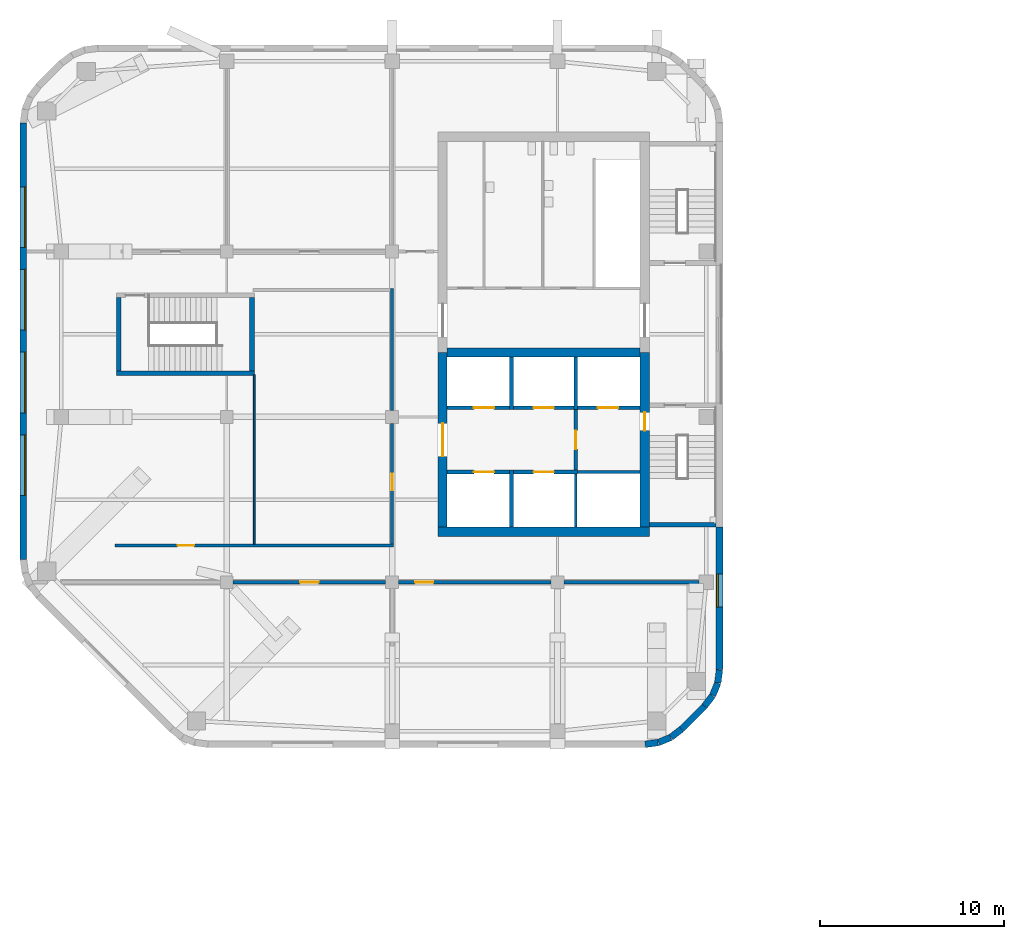
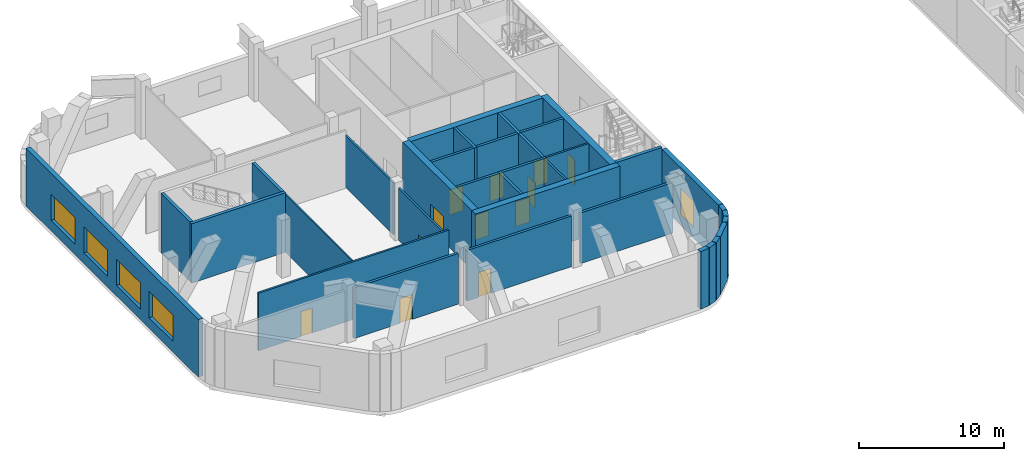
# One storey, part 5 of 14: 35 walls, 12 doors, 5 windows, 17 openings.
"""IFC4 building model written with IfcOpenShell, lengths in metres."""

from ifc_helpers import new_model, si_unit, direction, frame, frame_2d, origin, place, context, subcontext, project, spatial, rectangle, extrude, material, layer, layer_set, type_object, element, fill, save


model = new_model("IFC4")

# Units and contexts
model_context = context("Model", 3, precision=1e-05, world=origin(), true_north=direction((0.0, 1.0)))
body_context = subcontext(model_context, "Body", "Model", "MODEL_VIEW")
ifc_project = project(units=[si_unit("LENGTHUNIT", "METRE"), si_unit("AREAUNIT", "SQUARE_METRE"), si_unit("VOLUMEUNIT", "CUBIC_METRE"), si_unit("PLANEANGLEUNIT", "RADIAN"), si_unit("MASSUNIT", "GRAM", prefix="KILO")], contexts=[model_context])

# Site, building, storey
site_placement = place(None, origin())
site = spatial("IfcSite", under=ifc_project, at=site_placement, CompositionType="ELEMENT")
building_placement = place(site_placement, origin())
building = spatial("IfcBuilding", under=site, at=building_placement, Name="Cinnabar Reach Civic Tower", CompositionType="ELEMENT")
storey_placement = place(building_placement, frame((0.0, 0.0, 95.0)))
storey = spatial("IfcBuildingStorey", under=building, at=storey_placement, Name="L22", CompositionType="ELEMENT", Elevation=95.0)

# Walls
ifc_material_1 = material(Name="Facing brick with insulated backing", Category="masonry")
ifc_layer_1 = layer(ifc_material_1, 0.36)
ifc_layer_set_1 = layer_set([ifc_layer_1], Name="Brick corner wall")
wall_type_1 = type_object("IfcWallType", Name="Brick corner wall", PredefinedType="STANDARD", material=ifc_layer_set_1)
for number, where, z_axis, x_axis, name in (
    (1, (-31.2314, 9.183, 0.0), (0.0, 0.0, 1.0), (0.99144092581, 0.13055608231, 0.0), "Brick corner wall"),
    (2, (-30.5027, 9.2819, 0.0), (0.0, 0.0, 1.0), (0.923871547278, 0.382702709855, 0.0), "Brick corner wall"),
):
    element("IfcWall", number, at=place(storey_placement, frame(where, z_axis=z_axis, x_axis=x_axis)), inside=storey, type_object=wall_type_1, Name=name, PredefinedType="STANDARD", context=body_context, shape_type="SweptSolid", body=[
        extrude(rectangle(XDim=0.7131, YDim=0.36, at=frame_2d((0.3565, 0.0))), origin(), (0.0, 0.0, 1.0), 4.85),
    ])
for number, where, z_axis, x_axis, name in (
    (3, (-29.8245, 9.566, 0.0), (0.0, 0.0, 1.0), (0.793321924995, 0.608802368033, 0.0), "Brick corner wall"),
    (4, (-28.0002, 11.2587, 0.0), (0.0, 0.0, 1.0), (0.608802368033, 0.793321924995, 0.0), "Brick corner wall"),
):
    element("IfcWall", number, at=place(storey_placement, frame(where, z_axis=z_axis, x_axis=x_axis)), inside=storey, type_object=wall_type_1, Name=name, PredefinedType="STANDARD", context=body_context, shape_type="SweptSolid", body=[
        extrude(rectangle(XDim=0.7132, YDim=0.36, at=frame_2d((0.3566, 0.0))), origin(), (0.0, 0.0, 1.0), 4.85),
    ])
for number, where, z_axis, x_axis, name in (
    (5, (-27.5548, 11.8439, 0.0), (0.0, 0.0, 1.0), (0.382702709855, 0.923871547278, 0.0), "Brick corner wall"),
    (6, (-27.2761, 12.5244, 0.0), (0.0, 0.0, 1.0), (0.13055608231, 0.99144092581, 0.0), "Brick corner wall"),
):
    element("IfcWall", number, at=place(storey_placement, frame(where, z_axis=z_axis, x_axis=x_axis)), inside=storey, type_object=wall_type_1, Name=name, PredefinedType="STANDARD", context=body_context, shape_type="SweptSolid", body=[
        extrude(rectangle(XDim=0.7131, YDim=0.36, at=frame_2d((0.3565, 0.0))), origin(), (0.0, 0.0, 1.0), 4.85),
    ])
ifc_layer_2 = layer(ifc_material_1, 0.36)
ifc_layer_set_2 = layer_set([ifc_layer_2], Name="Brick pier and spandrel wall")
wall_type_2 = type_object("IfcWallType", Name="Brick pier and spandrel wall", PredefinedType="STANDARD", material=ifc_layer_set_2)
wall_1_placement = place(storey_placement, frame((-29.2486, 10.006, 0.0), z_axis=(0.0, 0.0, 1.0), x_axis=(0.707106781187, 0.707106781187, 0.0)))
element("IfcWall", 7, at=wall_1_placement, inside=storey, type_object=wall_type_2, Name="Brick facade wall", PredefinedType="STANDARD", context=body_context, shape_type="SweptSolid", body=[
    extrude(rectangle(XDim=1.7573, YDim=0.36, at=frame_2d((0.8787, 0.0))), origin(), (0.0, 0.0, 1.0), 4.85),
])

# Wall, opening, window
wall_2_placement = place(storey_placement, frame((-27.18, 13.2426, 0.0), z_axis=(0.0, 0.0, 1.0), x_axis=(0.0, 1.0, 0.0)))
wall_2 = element("IfcWall", 8, at=wall_2_placement, inside=storey, type_object=wall_type_2, Name="Brick facade wall", PredefinedType="STANDARD", context=body_context, shape_type="SweptSolid", body=[
    extrude(rectangle(XDim=7.7574, YDim=0.36, at=frame_2d((3.8787, 0.0))), origin(), (0.0, 0.0, 1.0), 4.85),
])
opening_1_placement = place(wall_2_placement, frame((3.4037, 0.0, 0.9)))
opening_1 = element("IfcOpeningElement", 9, at=opening_1_placement, cuts=wall_2, Name="Opening W2656", PredefinedType="OPENING", context=body_context, shape_type="SweptSolid", body=[
    extrude(rectangle(XDim=1.8, YDim=2.2, at=frame_2d((0.9, 1.1))), frame((0.0, 0.19, 0.0), z_axis=(0.0, -1.0, 0.0), x_axis=(1.0, 0.0, 0.0)), (0.0, 0.0, 1.0), 0.38),
])
ifc_material_2 = material(Name="Clear double glazing in aluminium frame", Category="aluminium")
window_type_1 = type_object("IfcWindowType", Name="Deep-set window E", PartitioningType="SINGLE_PANEL", PredefinedType="WINDOW", material=ifc_material_2)
window_1_placement = place(opening_1_placement, origin())
window_1 = element("IfcWindow", 10, at=window_1_placement, inside=storey, type_object=window_type_1, Name="Window east face", OverallHeight=2.2, OverallWidth=1.8, PartitioningType="SINGLE_PANEL", PredefinedType="WINDOW", context=body_context, shape_type="SweptSolid", body=[
    extrude(rectangle(XDim=1.8, YDim=2.2, at=frame_2d((0.9, 1.1))), frame((0.0, 0.13, 0.0), z_axis=(0.0, -1.0, 0.0), x_axis=(1.0, 0.0, 0.0)), (0.0, 0.0, 1.0), 0.06),
])
fill(opening_1, window_1)

# Wall, openings, windows
wall_3_placement = place(storey_placement, frame((-65.07, 43.0074, 0.0), z_axis=(0.0, 0.0, 1.0), x_axis=(0.0, -1.0, 0.0)))
wall_3 = element("IfcWall", 11, at=wall_3_placement, inside=storey, type_object=wall_type_2, Name="Brick facade wall", PredefinedType="STANDARD", context=body_context, shape_type="SweptSolid", body=[
    extrude(rectangle(XDim=23.7648, YDim=0.36, at=frame_2d((11.8824, 0.0))), origin(), (0.0, 0.0, 1.0), 4.85),
])
opening_2_placement = place(wall_3_placement, frame((3.4824, 0.0, 0.9)))
opening_2 = element("IfcOpeningElement", 12, at=opening_2_placement, cuts=wall_3, Name="Opening W2664", PredefinedType="OPENING", context=body_context, shape_type="SweptSolid", body=[
    extrude(rectangle(XDim=3.3, YDim=2.2, at=frame_2d((1.65, 1.1))), frame((0.0, 0.19, 0.0), z_axis=(0.0, -1.0, 0.0), x_axis=(1.0, 0.0, 0.0)), (0.0, 0.0, 1.0), 0.38),
])
opening_3_placement = place(wall_3_placement, frame((7.9824, 0.0, 0.9)))
opening_3 = element("IfcOpeningElement", 13, at=opening_3_placement, cuts=wall_3, Name="Opening W2665", PredefinedType="OPENING", context=body_context, shape_type="SweptSolid", body=[
    extrude(rectangle(XDim=3.3, YDim=2.2, at=frame_2d((1.65, 1.1))), frame((0.0, 0.19, 0.0), z_axis=(0.0, -1.0, 0.0), x_axis=(1.0, 0.0, 0.0)), (0.0, 0.0, 1.0), 0.38),
])
opening_4_placement = place(wall_3_placement, frame((12.4824, 0.0, 0.9)))
opening_4 = element("IfcOpeningElement", 14, at=opening_4_placement, cuts=wall_3, Name="Opening W2666", PredefinedType="OPENING", context=body_context, shape_type="SweptSolid", body=[
    extrude(rectangle(XDim=3.3, YDim=2.2, at=frame_2d((1.65, 1.1))), frame((0.0, 0.19, 0.0), z_axis=(0.0, -1.0, 0.0), x_axis=(1.0, 0.0, 0.0)), (0.0, 0.0, 1.0), 0.38),
])
opening_5_placement = place(wall_3_placement, frame((16.9824, 0.0, 0.9)))
opening_5 = element("IfcOpeningElement", 15, at=opening_5_placement, cuts=wall_3, Name="Opening W2667", PredefinedType="OPENING", context=body_context, shape_type="SweptSolid", body=[
    extrude(rectangle(XDim=3.3, YDim=2.2, at=frame_2d((1.65, 1.1))), frame((0.0, 0.19, 0.0), z_axis=(0.0, -1.0, 0.0), x_axis=(1.0, 0.0, 0.0)), (0.0, 0.0, 1.0), 0.38),
])
window_type_2 = type_object("IfcWindowType", Name="Deep-set window B", PartitioningType="SINGLE_PANEL", PredefinedType="WINDOW", material=ifc_material_2)
window_2_placement = place(opening_2_placement, origin())
window_2 = element("IfcWindow", 16, at=window_2_placement, inside=storey, type_object=window_type_2, Name="Window west face", OverallHeight=2.2, OverallWidth=3.3, PartitioningType="SINGLE_PANEL", PredefinedType="WINDOW", context=body_context, shape_type="SweptSolid", body=[
    extrude(rectangle(XDim=3.3, YDim=2.2, at=frame_2d((1.65, 1.1))), frame((0.0, 0.13, 0.0), z_axis=(0.0, -1.0, 0.0), x_axis=(1.0, 0.0, 0.0)), (0.0, 0.0, 1.0), 0.06),
])
fill(opening_2, window_2)
window_3_placement = place(opening_3_placement, origin())
window_3 = element("IfcWindow", 17, at=window_3_placement, inside=storey, type_object=window_type_2, Name="Window west face", OverallHeight=2.2, OverallWidth=3.3, PartitioningType="SINGLE_PANEL", PredefinedType="WINDOW", context=body_context, shape_type="SweptSolid", body=[
    extrude(rectangle(XDim=3.3, YDim=2.2, at=frame_2d((1.65, 1.1))), frame((0.0, 0.13, 0.0), z_axis=(0.0, -1.0, 0.0), x_axis=(1.0, 0.0, 0.0)), (0.0, 0.0, 1.0), 0.06),
])
fill(opening_3, window_3)
window_4_placement = place(opening_4_placement, origin())
window_4 = element("IfcWindow", 18, at=window_4_placement, inside=storey, type_object=window_type_2, Name="Window west face", OverallHeight=2.2, OverallWidth=3.3, PartitioningType="SINGLE_PANEL", PredefinedType="WINDOW", context=body_context, shape_type="SweptSolid", body=[
    extrude(rectangle(XDim=3.3, YDim=2.2, at=frame_2d((1.65, 1.1))), frame((0.0, 0.13, 0.0), z_axis=(0.0, -1.0, 0.0), x_axis=(1.0, 0.0, 0.0)), (0.0, 0.0, 1.0), 0.06),
])
fill(opening_4, window_4)
window_5_placement = place(opening_5_placement, origin())
window_5 = element("IfcWindow", 19, at=window_5_placement, inside=storey, type_object=window_type_2, Name="Window west face", OverallHeight=2.2, OverallWidth=3.3, PartitioningType="SINGLE_PANEL", PredefinedType="WINDOW", context=body_context, shape_type="SweptSolid", body=[
    extrude(rectangle(XDim=3.3, YDim=2.2, at=frame_2d((1.65, 1.1))), frame((0.0, 0.13, 0.0), z_axis=(0.0, -1.0, 0.0), x_axis=(1.0, 0.0, 0.0)), (0.0, 0.0, 1.0), 0.06),
])
fill(opening_5, window_5)

# Wall
ifc_material_3 = material(Name="Concrete C60", Category="concrete")
ifc_layer_3 = layer(ifc_material_3, 0.5)
ifc_layer_set_3 = layer_set([ifc_layer_3], Name="Core wall 500 EI 180")
wall_type_3 = type_object("IfcWallType", Name="Core wall 500 EI 180", PredefinedType="SOLIDWALL", material=ifc_layer_set_3)
wall_4_placement = place(storey_placement, frame((-42.5, 20.75, 0.0), z_axis=(0.0, 0.0, 1.0), x_axis=(1.0, 0.0, 0.0)))
element("IfcWall", 20, at=wall_4_placement, inside=storey, type_object=wall_type_3, Name="Core wall T2 L22 S", PredefinedType="SOLIDWALL", context=body_context, shape_type="SweptSolid", body=[
    extrude(rectangle(XDim=11.5, YDim=0.5, at=frame_2d((5.75, 0.0))), origin(), (0.0, 0.0, 1.0), 5.0),
])

# Wall, opening, door
wall_5_placement = place(storey_placement, frame((-31.25, 21.0, 0.0), z_axis=(0.0, 0.0, 1.0), x_axis=(0.0, 1.0, 0.0)))
wall_5 = element("IfcWall", 21, at=wall_5_placement, inside=storey, type_object=wall_type_3, Name="Core wall T2 L22 E", PredefinedType="SOLIDWALL", context=body_context, shape_type="SweptSolid", body=[
    extrude(rectangle(XDim=9.5, YDim=0.5, at=frame_2d((4.75, 0.0))), origin(), (0.0, 0.0, 1.0), 5.0),
])
opening_6_placement = place(wall_5_placement, frame((5.25, 0.0, 0.0)))
opening_6 = element("IfcOpeningElement", 22, at=opening_6_placement, cuts=wall_5, Name="Opening D6833", PredefinedType="OPENING", context=body_context, shape_type="SweptSolid", body=[
    extrude(rectangle(XDim=1.0, YDim=2.1, at=frame_2d((0.5, 1.05))), frame((0.0, 0.26, 0.0), z_axis=(0.0, -1.0, 0.0), x_axis=(1.0, 0.0, 0.0)), (0.0, 0.0, 1.0), 0.52),
])
ifc_material_4 = material(Name="Steel fire door", Category="steel")
door_type_1 = type_object("IfcDoorType", Name="T2 Firefighting lobby door 1000", OperationType="SINGLE_SWING_LEFT", PredefinedType="DOOR", material=ifc_material_4)
door_1_placement = place(opening_6_placement, frame((1.0, 0.0, 0.0), z_axis=(0.0, 0.0, 1.0), x_axis=(-1.0, 0.0, 0.0)))
door_1 = element("IfcDoor", 23, at=door_1_placement, inside=storey, type_object=door_type_1, Name="T2 Firefighting lobby door D6833", OperationType="SINGLE_SWING_LEFT", OverallHeight=2.1, OverallWidth=1.0, PredefinedType="DOOR", context=body_context, shape_type="SweptSolid", body=[
    extrude(rectangle(XDim=1.0, YDim=2.1, at=frame_2d((0.5, 1.05))), frame((0.0, 0.025, 0.0), z_axis=(0.0, -1.0, 0.0), x_axis=(1.0, 0.0, 0.0)), (0.0, 0.0, 1.0), 0.05),
])
fill(opening_6, door_1)

wall_6_placement = place(storey_placement, frame((-42.25, 30.5, 0.0), z_axis=(0.0, 0.0, 1.0), x_axis=(0.0, -1.0, 0.0)))
wall_6 = element("IfcWall", 24, at=wall_6_placement, inside=storey, type_object=wall_type_3, Name="Core wall T2 L22 W2", PredefinedType="SOLIDWALL", context=body_context, shape_type="SweptSolid", body=[
    extrude(rectangle(XDim=9.5, YDim=0.5, at=frame_2d((4.75, 0.0))), origin(), (0.0, 0.0, 1.0), 5.0),
])
opening_7_placement = place(wall_6_placement, frame((3.85, 0.0, 0.0)))
opening_7 = element("IfcOpeningElement", 25, at=opening_7_placement, cuts=wall_6, Name="Opening D6837", PredefinedType="OPENING", context=body_context, shape_type="SweptSolid", body=[
    extrude(rectangle(XDim=1.8, YDim=2.1, at=frame_2d((0.9, 1.05))), frame((0.0, 0.26, 0.0), z_axis=(0.0, -1.0, 0.0), x_axis=(1.0, 0.0, 0.0)), (0.0, 0.0, 1.0), 0.52),
])
door_type_2 = type_object("IfcDoorType", Name="T2 Double door 1800", OperationType="DOUBLE_DOOR_SINGLE_SWING", PredefinedType="DOOR", material=ifc_material_4)
door_2_placement = place(opening_7_placement, origin())
door_2 = element("IfcDoor", 26, at=door_2_placement, inside=storey, type_object=door_type_2, Name="T2 Double door D6837", OperationType="DOUBLE_DOOR_SINGLE_SWING", OverallHeight=2.1, OverallWidth=1.8, PredefinedType="DOOR", context=body_context, shape_type="SweptSolid", body=[
    extrude(rectangle(XDim=1.8, YDim=2.1, at=frame_2d((0.9, 1.05))), frame((0.0, 0.025, 0.0), z_axis=(0.0, -1.0, 0.0), x_axis=(1.0, 0.0, 0.0)), (0.0, 0.0, 1.0), 0.05),
])
fill(opening_7, door_2)

# Wall
wall_7_placement = place(storey_placement, frame((-42.0, 30.5, 0.0), z_axis=(0.0, 0.0, 1.0), x_axis=(1.0, 0.0, 0.0)))
element("IfcWall", 27, at=wall_7_placement, inside=storey, type_object=wall_type_3, Name="Core spine wall T2 L22", PredefinedType="SOLIDWALL", context=body_context, shape_type="SweptSolid", body=[
    extrude(rectangle(XDim=10.5, YDim=0.5, at=frame_2d((5.25, 0.0))), origin(), (0.0, 0.0, 1.0), 5.0),
])

# Wall, opening, door
ifc_material_5 = material(Name="Gypsum board on steel studs, double layer", Category="steel")
ifc_layer_4 = layer(ifc_material_5, 0.15)
ifc_layer_set_4 = layer_set([ifc_layer_4], Name="Corridor wall 150 T2")
wall_type_4 = type_object("IfcWallType", Name="Corridor wall 150 T2", PredefinedType="PARTITIONING", material=ifc_layer_set_4)
wall_8_placement = place(storey_placement, frame((-60.075, 20.0, 0.0), z_axis=(0.0, 0.0, 1.0), x_axis=(1.0, 0.0, 0.0)))
wall_8 = element("IfcWall", 28, at=wall_8_placement, inside=storey, type_object=wall_type_4, Name="Corridor wall 11", PredefinedType="PARTITIONING", context=body_context, shape_type="SweptSolid", body=[
    extrude(rectangle(XDim=15.15, YDim=0.15, at=frame_2d((7.575, 0.0))), origin(), (0.0, 0.0, 1.0), 4.85),
])
opening_8_placement = place(wall_8_placement, frame((3.4, 0.0, 0.0)))
opening_8 = element("IfcOpeningElement", 29, at=opening_8_placement, cuts=wall_8, Name="Opening D6847", PredefinedType="OPENING", context=body_context, shape_type="SweptSolid", body=[
    extrude(rectangle(XDim=0.9, YDim=2.1, at=frame_2d((0.45, 1.05))), frame((0.0, 0.085, 0.0), z_axis=(0.0, -1.0, 0.0), x_axis=(1.0, 0.0, 0.0)), (0.0, 0.0, 1.0), 0.17),
])
ifc_material_6 = material(Name="Timber door leaf in steel frame", Category="steel")
door_type_3 = type_object("IfcDoorType", Name="Single swing door 900 x 2100 T2", OperationType="SINGLE_SWING_LEFT", PredefinedType="DOOR", material=ifc_material_6)
door_3_placement = place(opening_8_placement, frame((0.9, 0.0, 0.0), z_axis=(0.0, 0.0, 1.0), x_axis=(-1.0, 0.0, 0.0)))
door_3 = element("IfcDoor", 30, at=door_3_placement, inside=storey, type_object=door_type_3, Name="Door D6847", OperationType="SINGLE_SWING_LEFT", OverallHeight=2.1, OverallWidth=0.9, PredefinedType="DOOR", context=body_context, shape_type="SweptSolid", body=[
    extrude(rectangle(XDim=0.9, YDim=2.1, at=frame_2d((0.45, 1.05))), frame((0.0, 0.025, 0.0), z_axis=(0.0, -1.0, 0.0), x_axis=(1.0, 0.0, 0.0)), (0.0, 0.0, 1.0), 0.05),
])
fill(opening_8, door_3)

wall_9_placement = place(storey_placement, frame((-45.0, 20.075, 0.0), z_axis=(0.0, 0.0, 1.0), x_axis=(0.0, 1.0, 0.0)))
wall_9 = element("IfcWall", 31, at=wall_9_placement, inside=storey, type_object=wall_type_4, Name="Corridor wall 12", PredefinedType="PARTITIONING", context=body_context, shape_type="SweptSolid", body=[
    extrude(rectangle(XDim=6.575, YDim=0.15, at=frame_2d((3.2875, 0.0))), origin(), (0.0, 0.0, 1.0), 4.362),
])
opening_9_placement = place(wall_9_placement, frame((2.925, 0.0, 0.0)))
opening_9 = element("IfcOpeningElement", 32, at=opening_9_placement, cuts=wall_9, Name="Opening D6848", PredefinedType="OPENING", context=body_context, shape_type="SweptSolid", body=[
    extrude(rectangle(XDim=0.9, YDim=2.1, at=frame_2d((0.45, 1.05))), frame((0.0, 0.085, 0.0), z_axis=(0.0, -1.0, 0.0), x_axis=(1.0, 0.0, 0.0)), (0.0, 0.0, 1.0), 0.17),
])
door_4_placement = place(opening_9_placement, origin())
door_4 = element("IfcDoor", 33, at=door_4_placement, inside=storey, type_object=door_type_3, Name="Door D6848", OperationType="SINGLE_SWING_RIGHT", OverallHeight=2.1, OverallWidth=0.9, PredefinedType="DOOR", context=body_context, shape_type="SweptSolid", body=[
    extrude(rectangle(XDim=0.9, YDim=2.1, at=frame_2d((0.45, 1.05))), frame((0.0, 0.025, 0.0), z_axis=(0.0, -1.0, 0.0), x_axis=(1.0, 0.0, 0.0)), (0.0, 0.0, 1.0), 0.05),
])
fill(opening_9, door_4)

# Walls
wall_10_placement = place(storey_placement, frame((-45.0, 27.35, 0.0), z_axis=(0.0, 0.0, 1.0), x_axis=(0.0, 1.0, 0.0)))
element("IfcWall", 34, at=wall_10_placement, inside=storey, type_object=wall_type_4, Name="Corridor wall 13", PredefinedType="PARTITIONING", context=body_context, shape_type="SweptSolid", body=[
    extrude(rectangle(XDim=6.625, YDim=0.15, at=frame_2d((3.3125, 0.0))), origin(), (0.0, 0.0, 1.0), 4.362),
])
ifc_material_7 = material(Name="Gypsum board on steel studs", Category="steel")
ifc_layer_5 = layer(ifc_material_7, 0.1)
ifc_layer_set_5 = layer_set([ifc_layer_5], Name="Partition wall 100 T2")
wall_type_5 = type_object("IfcWallType", Name="Partition wall 100 T2", PredefinedType="PARTITIONING", material=ifc_layer_set_5)
wall_11_placement = place(storey_placement, frame((-52.5, 20.075, 0.0), z_axis=(0.0, 0.0, 1.0), x_axis=(0.0, 1.0, 0.0)))
element("IfcWall", 35, at=wall_11_placement, inside=storey, type_object=wall_type_5, Name="Partition wall 17", PredefinedType="PARTITIONING", context=body_context, shape_type="SweptSolid", body=[
    extrude(rectangle(XDim=9.225, YDim=0.1, at=frame_2d((4.6125, 0.0))), origin(), (0.0, 0.0, 1.0), 4.85),
])
ifc_material_8 = material(Name="Concrete C40", Category="concrete")
ifc_layer_6 = layer(ifc_material_8, 0.2)
ifc_layer_set_6 = layer_set([ifc_layer_6], Name="Refuge compartment wall 200 T2")
wall_type_6 = type_object("IfcWallType", Name="Refuge compartment wall 200 T2", PredefinedType="PARTITIONING", material=ifc_layer_set_6)
wall_12_placement = place(storey_placement, frame((-35.65, 18.0, 0.0), z_axis=(0.0, 0.0, 1.0), x_axis=(1.0, 0.0, 0.0)))
element("IfcWall", 36, at=wall_12_placement, inside=storey, type_object=wall_type_6, Name="Refuge compartment wall 1", PredefinedType="PARTITIONING", context=body_context, shape_type="SweptSolid", body=[
    extrude(rectangle(XDim=7.35, YDim=0.2, at=frame_2d((3.675, 0.0))), origin(), (0.0, 0.0, 1.0), 4.262),
])

# Wall, opening, door
wall_13_placement = place(storey_placement, frame((-44.65, 18.0, 0.0), z_axis=(0.0, 0.0, 1.0), x_axis=(1.0, 0.0, 0.0)))
wall_13 = element("IfcWall", 37, at=wall_13_placement, inside=storey, type_object=wall_type_6, Name="Refuge compartment wall 2", PredefinedType="PARTITIONING", context=body_context, shape_type="SweptSolid", body=[
    extrude(rectangle(XDim=8.3, YDim=0.2, at=frame_2d((4.15, 0.0))), origin(), (0.0, 0.0, 1.0), 4.262),
])
opening_10_placement = place(wall_13_placement, frame((0.9, 0.0, 0.0)))
opening_10 = element("IfcOpeningElement", 38, at=opening_10_placement, cuts=wall_13, Name="Opening D6844", PredefinedType="OPENING", context=body_context, shape_type="SweptSolid", body=[
    extrude(rectangle(XDim=1.0, YDim=2.1, at=frame_2d((0.5, 1.05))), frame((0.0, 0.11, 0.0), z_axis=(0.0, -1.0, 0.0), x_axis=(1.0, 0.0, 0.0)), (0.0, 0.0, 1.0), 0.22),
])
door_type_4 = type_object("IfcDoorType", Name="Refuge door 1000 x 2100 T2", OperationType="SINGLE_SWING_LEFT", PredefinedType="DOOR", material=ifc_material_6)
door_5_placement = place(opening_10_placement, origin())
door_5 = element("IfcDoor", 39, at=door_5_placement, inside=storey, type_object=door_type_4, Name="Door D6844", OperationType="SINGLE_SWING_LEFT", OverallHeight=2.1, OverallWidth=1.0, PredefinedType="DOOR", context=body_context, shape_type="SweptSolid", body=[
    extrude(rectangle(XDim=1.0, YDim=2.1, at=frame_2d((0.5, 1.05))), frame((0.0, 0.025, 0.0), z_axis=(0.0, -1.0, 0.0), x_axis=(1.0, 0.0, 0.0)), (0.0, 0.0, 1.0), 0.05),
])
fill(opening_10, door_5)

wall_14_placement = place(storey_placement, frame((-53.65, 18.0, 0.0), z_axis=(0.0, 0.0, 1.0), x_axis=(1.0, 0.0, 0.0)))
wall_14 = element("IfcWall", 40, at=wall_14_placement, inside=storey, type_object=wall_type_6, Name="Refuge compartment wall 3", PredefinedType="PARTITIONING", context=body_context, shape_type="SweptSolid", body=[
    extrude(rectangle(XDim=8.3, YDim=0.2, at=frame_2d((4.15, 0.0))), origin(), (0.0, 0.0, 1.0), 4.262),
])
opening_11_placement = place(wall_14_placement, frame((3.65, 0.0, 0.0)))
opening_11 = element("IfcOpeningElement", 41, at=opening_11_placement, cuts=wall_14, Name="Opening D6843", PredefinedType="OPENING", context=body_context, shape_type="SweptSolid", body=[
    extrude(rectangle(XDim=1.0, YDim=2.1, at=frame_2d((0.5, 1.05))), frame((0.0, 0.11, 0.0), z_axis=(0.0, -1.0, 0.0), x_axis=(1.0, 0.0, 0.0)), (0.0, 0.0, 1.0), 0.22),
])
door_6_placement = place(opening_11_placement, origin())
door_6 = element("IfcDoor", 42, at=door_6_placement, inside=storey, type_object=door_type_4, Name="Door D6843", OperationType="SINGLE_SWING_LEFT", OverallHeight=2.1, OverallWidth=1.0, PredefinedType="DOOR", context=body_context, shape_type="SweptSolid", body=[
    extrude(rectangle(XDim=1.0, YDim=2.1, at=frame_2d((0.5, 1.05))), frame((0.0, 0.025, 0.0), z_axis=(0.0, -1.0, 0.0), x_axis=(1.0, 0.0, 0.0)), (0.0, 0.0, 1.0), 0.05),
])
fill(opening_11, door_6)

# Walls
ifc_layer_7 = layer(ifc_material_3, 0.25)
ifc_layer_set_7 = layer_set([ifc_layer_7], Name="Stair shaft wall 250 EI 120")
wall_type_7 = type_object("IfcWallType", Name="Stair shaft wall 250 EI 120", PredefinedType="SOLIDWALL", material=ifc_layer_set_7)
wall_15_placement = place(storey_placement, frame((-31.0, 21.125, 0.0), z_axis=(0.0, 0.0, 1.0), x_axis=(1.0, 0.0, 0.0)))
element("IfcWall", 43, at=wall_15_placement, inside=storey, type_object=wall_type_7, Name="Stair shaft wall T2-S1 L22", PredefinedType="SOLIDWALL", context=body_context, shape_type="SweptSolid", body=[
    extrude(rectangle(XDim=3.64, YDim=0.25, at=frame_2d((1.82, 0.0))), origin(), (0.0, 0.0, 1.0), 5.0),
])
wall_16_placement = place(storey_placement, frame((-60.0, 29.375, 0.0), z_axis=(0.0, 0.0, 1.0), x_axis=(1.0, 0.0, 0.0)))
element("IfcWall", 44, at=wall_16_placement, inside=storey, type_object=wall_type_7, Name="Stair shaft wall T2-S3 L22", PredefinedType="SOLIDWALL", context=body_context, shape_type="SweptSolid", body=[
    extrude(rectangle(XDim=7.5, YDim=0.25, at=frame_2d((3.75, 0.0))), origin(), (0.0, 0.0, 1.0), 5.0),
])
for number, where, z_axis, x_axis, name in (
    (45, (-52.625, 29.5, 0.0), (0.0, 0.0, 1.0), (0.0, 1.0, 0.0), "Stair shaft wall T2-S3 L22"),
    (46, (-59.875, 33.5, 0.0), (0.0, 0.0, 1.0), (0.0, -1.0, 0.0), "Stair shaft wall T2-S3 L22"),
):
    element("IfcWall", number, at=place(storey_placement, frame(where, z_axis=z_axis, x_axis=x_axis)), inside=storey, type_object=wall_type_7, Name=name, PredefinedType="SOLIDWALL", context=body_context, shape_type="SweptSolid", body=[
        extrude(rectangle(XDim=4.0, YDim=0.25, at=frame_2d((2.0, 0.0))), origin(), (0.0, 0.0, 1.0), 5.0),
    ])
ifc_layer_8 = layer(ifc_material_8, 0.15)
ifc_layer_set_8 = layer_set([ifc_layer_8], Name="T2 Riser wall 150")
wall_type_8 = type_object("IfcWallType", Name="T2 Riser wall 150", PredefinedType="SOLIDWALL", material=ifc_layer_set_8)
wall_17_placement = place(storey_placement, frame((-35.0, 21.0, 0.0), z_axis=(0.0, 0.0, 1.0), x_axis=(0.0, 1.0, 0.0)))
element("IfcWall", 47, at=wall_17_placement, inside=storey, type_object=wall_type_8, Name="T2 Riser wall L22 010", PredefinedType="SOLIDWALL", context=body_context, shape_type="SweptSolid", body=[
    extrude(rectangle(XDim=2.9, YDim=0.15, at=frame_2d((1.45, 0.0))), origin(), (0.0, 0.0, 1.0), 5.0),
])
wall_18_placement = place(storey_placement, frame((-31.5, 24.0, 0.0), z_axis=(0.0, 0.0, 1.0), x_axis=(-1.0, 0.0, 0.0)))
element("IfcWall", 48, at=wall_18_placement, inside=storey, type_object=wall_type_8, Name="T2 Riser wall L22 011", PredefinedType="SOLIDWALL", context=body_context, shape_type="SweptSolid", body=[
    extrude(rectangle(XDim=3.4, YDim=0.15, at=frame_2d((1.7, 0.0))), origin(), (0.0, 0.0, 1.0), 5.0),
])
ifc_layer_9 = layer(ifc_material_8, 0.2)
ifc_layer_set_9 = layer_set([ifc_layer_9], Name="T2 Shaft wall 200")
wall_type_9 = type_object("IfcWallType", Name="T2 Shaft wall 200", PredefinedType="SOLIDWALL", material=ifc_layer_set_9)
wall_19_placement = place(storey_placement, frame((-38.5, 21.0, 0.0), z_axis=(0.0, 0.0, 1.0), x_axis=(0.0, 1.0, 0.0)))
element("IfcWall", 49, at=wall_19_placement, inside=storey, type_object=wall_type_9, Name="T2 Shaft wall L22 001", PredefinedType="SOLIDWALL", context=body_context, shape_type="SweptSolid", body=[
    extrude(rectangle(XDim=3.1, YDim=0.2, at=frame_2d((1.55, 0.0))), origin(), (0.0, 0.0, 1.0), 5.0),
])

# Wall, opening, door
wall_20_placement = place(storey_placement, frame((-38.6, 24.0, 0.0), z_axis=(0.0, 0.0, 1.0), x_axis=(-1.0, 0.0, 0.0)))
wall_20 = element("IfcWall", 50, at=wall_20_placement, inside=storey, type_object=wall_type_9, Name="T2 Shaft wall L22 002", PredefinedType="SOLIDWALL", context=body_context, shape_type="SweptSolid", body=[
    extrude(rectangle(XDim=3.4, YDim=0.2, at=frame_2d((1.7, 0.0))), origin(), (0.0, 0.0, 1.0), 5.0),
])
opening_12_placement = place(wall_20_placement, frame((0.85, 0.0, 0.0)))
opening_12 = element("IfcOpeningElement", 51, at=opening_12_placement, cuts=wall_20, Name="Opening D6827", PredefinedType="OPENING", context=body_context, shape_type="SweptSolid", body=[
    extrude(rectangle(XDim=1.1, YDim=2.1, at=frame_2d((0.55, 1.05))), frame((0.0, 0.11, 0.0), z_axis=(0.0, -1.0, 0.0), x_axis=(1.0, 0.0, 0.0)), (0.0, 0.0, 1.0), 0.22),
])
door_type_5 = type_object("IfcDoorType", Name="T2 Lift landing door 1100", OperationType="SLIDING_TO_LEFT", PredefinedType="DOOR", material=ifc_material_4)
door_7_placement = place(opening_12_placement, origin())
door_7 = element("IfcDoor", 52, at=door_7_placement, inside=storey, type_object=door_type_5, Name="T2 Lift landing door D6827", OperationType="SLIDING_TO_LEFT", OverallHeight=2.1, OverallWidth=1.1, PredefinedType="DOOR", context=body_context, shape_type="SweptSolid", body=[
    extrude(rectangle(XDim=1.1, YDim=2.1, at=frame_2d((0.55, 1.05))), frame((0.0, 0.025, 0.0), z_axis=(0.0, -1.0, 0.0), x_axis=(1.0, 0.0, 0.0)), (0.0, 0.0, 1.0), 0.05),
])
fill(opening_12, door_7)

wall_21_placement = place(storey_placement, frame((-34.9, 24.0, 0.0), z_axis=(0.0, 0.0, 1.0), x_axis=(-1.0, 0.0, 0.0)))
wall_21 = element("IfcWall", 53, at=wall_21_placement, inside=storey, type_object=wall_type_9, Name="T2 Shaft wall L22 003", PredefinedType="SOLIDWALL", context=body_context, shape_type="SweptSolid", body=[
    extrude(rectangle(XDim=3.5, YDim=0.2, at=frame_2d((1.75, 0.0))), origin(), (0.0, 0.0, 1.0), 5.0),
])
opening_13_placement = place(wall_21_placement, frame((1.3, 0.0, 0.0)))
opening_13 = element("IfcOpeningElement", 54, at=opening_13_placement, cuts=wall_21, Name="Opening D6828", PredefinedType="OPENING", context=body_context, shape_type="SweptSolid", body=[
    extrude(rectangle(XDim=1.1, YDim=2.1, at=frame_2d((0.55, 1.05))), frame((0.0, 0.11, 0.0), z_axis=(0.0, -1.0, 0.0), x_axis=(1.0, 0.0, 0.0)), (0.0, 0.0, 1.0), 0.22),
])
door_8_placement = place(opening_13_placement, origin())
door_8 = element("IfcDoor", 55, at=door_8_placement, inside=storey, type_object=door_type_5, Name="T2 Lift landing door D6828", OperationType="SLIDING_TO_LEFT", OverallHeight=2.1, OverallWidth=1.1, PredefinedType="DOOR", context=body_context, shape_type="SweptSolid", body=[
    extrude(rectangle(XDim=1.1, YDim=2.1, at=frame_2d((0.55, 1.05))), frame((0.0, 0.025, 0.0), z_axis=(0.0, -1.0, 0.0), x_axis=(1.0, 0.0, 0.0)), (0.0, 0.0, 1.0), 0.05),
])
fill(opening_13, door_8)

# Wall
wall_22_placement = place(storey_placement, frame((-38.5, 27.4, 0.0), z_axis=(0.0, 0.0, 1.0), x_axis=(0.0, 1.0, 0.0)))
element("IfcWall", 56, at=wall_22_placement, inside=storey, type_object=wall_type_9, Name="T2 Shaft wall L22 004", PredefinedType="SOLIDWALL", context=body_context, shape_type="SweptSolid", body=[
    extrude(rectangle(XDim=2.85, YDim=0.2, at=frame_2d((1.425, 0.0))), origin(), (0.0, 0.0, 1.0), 5.0),
])

# Wall, opening, door
wall_23_placement = place(storey_placement, frame((-42.0, 27.5, 0.0), z_axis=(0.0, 0.0, 1.0), x_axis=(1.0, 0.0, 0.0)))
wall_23 = element("IfcWall", 57, at=wall_23_placement, inside=storey, type_object=wall_type_9, Name="T2 Shaft wall L22 005", PredefinedType="SOLIDWALL", context=body_context, shape_type="SweptSolid", body=[
    extrude(rectangle(XDim=3.4, YDim=0.2, at=frame_2d((1.7, 0.0))), origin(), (0.0, 0.0, 1.0), 5.0),
])
opening_14_placement = place(wall_23_placement, frame((1.45, 0.0, 0.0)))
opening_14 = element("IfcOpeningElement", 58, at=opening_14_placement, cuts=wall_23, Name="Opening D6829", PredefinedType="OPENING", context=body_context, shape_type="SweptSolid", body=[
    extrude(rectangle(XDim=1.1, YDim=2.1, at=frame_2d((0.55, 1.05))), frame((0.0, 0.11, 0.0), z_axis=(0.0, -1.0, 0.0), x_axis=(1.0, 0.0, 0.0)), (0.0, 0.0, 1.0), 0.22),
])
door_9_placement = place(opening_14_placement, origin())
door_9 = element("IfcDoor", 59, at=door_9_placement, inside=storey, type_object=door_type_5, Name="T2 Lift landing door D6829", OperationType="SLIDING_TO_LEFT", OverallHeight=2.1, OverallWidth=1.1, PredefinedType="DOOR", context=body_context, shape_type="SweptSolid", body=[
    extrude(rectangle(XDim=1.1, YDim=2.1, at=frame_2d((0.55, 1.05))), frame((0.0, 0.025, 0.0), z_axis=(0.0, -1.0, 0.0), x_axis=(1.0, 0.0, 0.0)), (0.0, 0.0, 1.0), 0.05),
])
fill(opening_14, door_9)

# Wall
wall_24_placement = place(storey_placement, frame((-35.0, 27.4, 0.0), z_axis=(0.0, 0.0, 1.0), x_axis=(0.0, 1.0, 0.0)))
element("IfcWall", 60, at=wall_24_placement, inside=storey, type_object=wall_type_9, Name="T2 Shaft wall L22 006", PredefinedType="SOLIDWALL", context=body_context, shape_type="SweptSolid", body=[
    extrude(rectangle(XDim=2.85, YDim=0.2, at=frame_2d((1.425, 0.0))), origin(), (0.0, 0.0, 1.0), 5.0),
])

# Wall, opening, door
wall_25_placement = place(storey_placement, frame((-38.4, 27.5, 0.0), z_axis=(0.0, 0.0, 1.0), x_axis=(1.0, 0.0, 0.0)))
wall_25 = element("IfcWall", 61, at=wall_25_placement, inside=storey, type_object=wall_type_9, Name="T2 Shaft wall L22 007", PredefinedType="SOLIDWALL", context=body_context, shape_type="SweptSolid", body=[
    extrude(rectangle(XDim=3.3, YDim=0.2, at=frame_2d((1.65, 0.0))), origin(), (0.0, 0.0, 1.0), 5.0),
])
opening_15_placement = place(wall_25_placement, frame((1.1, 0.0, 0.0)))
opening_15 = element("IfcOpeningElement", 62, at=opening_15_placement, cuts=wall_25, Name="Opening D6830", PredefinedType="OPENING", context=body_context, shape_type="SweptSolid", body=[
    extrude(rectangle(XDim=1.1, YDim=2.1, at=frame_2d((0.55, 1.05))), frame((0.0, 0.11, 0.0), z_axis=(0.0, -1.0, 0.0), x_axis=(1.0, 0.0, 0.0)), (0.0, 0.0, 1.0), 0.22),
])
door_10_placement = place(opening_15_placement, origin())
door_10 = element("IfcDoor", 63, at=door_10_placement, inside=storey, type_object=door_type_5, Name="T2 Lift landing door D6830", OperationType="SLIDING_TO_LEFT", OverallHeight=2.1, OverallWidth=1.1, PredefinedType="DOOR", context=body_context, shape_type="SweptSolid", body=[
    extrude(rectangle(XDim=1.1, YDim=2.1, at=frame_2d((0.55, 1.05))), frame((0.0, 0.025, 0.0), z_axis=(0.0, -1.0, 0.0), x_axis=(1.0, 0.0, 0.0)), (0.0, 0.0, 1.0), 0.05),
])
fill(opening_15, door_10)

wall_26_placement = place(storey_placement, frame((-34.9, 27.5, 0.0), z_axis=(0.0, 0.0, 1.0), x_axis=(1.0, 0.0, 0.0)))
wall_26 = element("IfcWall", 64, at=wall_26_placement, inside=storey, type_object=wall_type_9, Name="T2 Shaft wall L22 008", PredefinedType="SOLIDWALL", context=body_context, shape_type="SweptSolid", body=[
    extrude(rectangle(XDim=3.4, YDim=0.2, at=frame_2d((1.7, 0.0))), origin(), (0.0, 0.0, 1.0), 5.0),
])
opening_16_placement = place(wall_26_placement, frame((1.1, 0.0, 0.0)))
opening_16 = element("IfcOpeningElement", 65, at=opening_16_placement, cuts=wall_26, Name="Opening D6831", PredefinedType="OPENING", context=body_context, shape_type="SweptSolid", body=[
    extrude(rectangle(XDim=1.1, YDim=2.1, at=frame_2d((0.55, 1.05))), frame((0.0, 0.11, 0.0), z_axis=(0.0, -1.0, 0.0), x_axis=(1.0, 0.0, 0.0)), (0.0, 0.0, 1.0), 0.22),
])
door_type_6 = type_object("IfcDoorType", Name="T2 Firefighting lift landing door 1100", OperationType="SLIDING_TO_LEFT", PredefinedType="DOOR", material=ifc_material_4)
door_11_placement = place(opening_16_placement, origin())
door_11 = element("IfcDoor", 66, at=door_11_placement, inside=storey, type_object=door_type_6, Name="T2 Firefighting lift landing door D6831", OperationType="SLIDING_TO_LEFT", OverallHeight=2.1, OverallWidth=1.1, PredefinedType="DOOR", context=body_context, shape_type="SweptSolid", body=[
    extrude(rectangle(XDim=1.1, YDim=2.1, at=frame_2d((0.55, 1.05))), frame((0.0, 0.025, 0.0), z_axis=(0.0, -1.0, 0.0), x_axis=(1.0, 0.0, 0.0)), (0.0, 0.0, 1.0), 0.05),
])
fill(opening_16, door_11)

wall_27_placement = place(storey_placement, frame((-35.0, 24.1, 0.0), z_axis=(0.0, 0.0, 1.0), x_axis=(0.0, 1.0, 0.0)))
wall_27 = element("IfcWall", 67, at=wall_27_placement, inside=storey, type_object=wall_type_9, Name="T2 Shaft wall L22 009", PredefinedType="SOLIDWALL", context=body_context, shape_type="SweptSolid", body=[
    extrude(rectangle(XDim=3.3, YDim=0.2, at=frame_2d((1.65, 0.0))), origin(), (0.0, 0.0, 1.0), 5.0),
])
opening_17_placement = place(wall_27_placement, frame((1.15, 0.0, 0.0)))
opening_17 = element("IfcOpeningElement", 68, at=opening_17_placement, cuts=wall_27, Name="Opening D6832", PredefinedType="OPENING", context=body_context, shape_type="SweptSolid", body=[
    extrude(rectangle(XDim=1.0, YDim=2.1, at=frame_2d((0.5, 1.05))), frame((0.0, 0.11, 0.0), z_axis=(0.0, -1.0, 0.0), x_axis=(1.0, 0.0, 0.0)), (0.0, 0.0, 1.0), 0.22),
])
door_12_placement = place(opening_17_placement, origin())
door_12 = element("IfcDoor", 69, at=door_12_placement, inside=storey, type_object=door_type_1, Name="T2 Firefighting lobby door D6832", OperationType="SINGLE_SWING_LEFT", OverallHeight=2.1, OverallWidth=1.0, PredefinedType="DOOR", context=body_context, shape_type="SweptSolid", body=[
    extrude(rectangle(XDim=1.0, YDim=2.1, at=frame_2d((0.5, 1.05))), frame((0.0, 0.025, 0.0), z_axis=(0.0, -1.0, 0.0), x_axis=(1.0, 0.0, 0.0)), (0.0, 0.0, 1.0), 0.05),
])
fill(opening_17, door_12)

save(model, "model.ifc")
